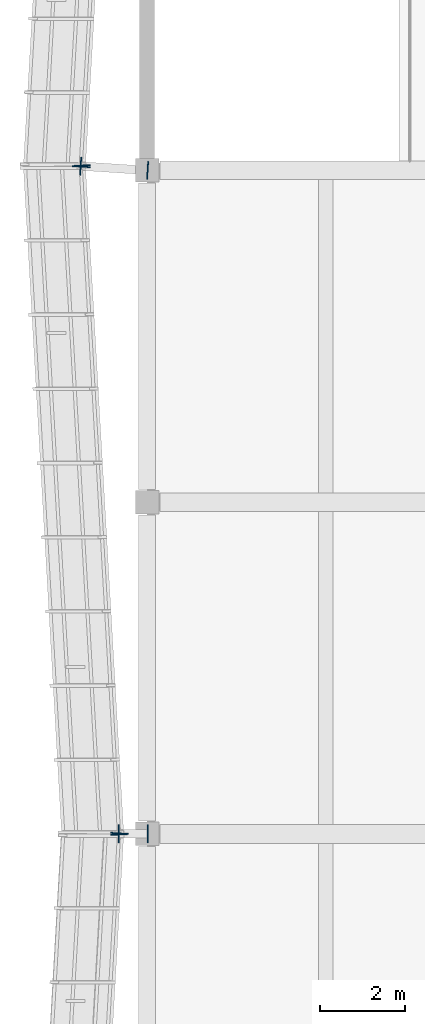
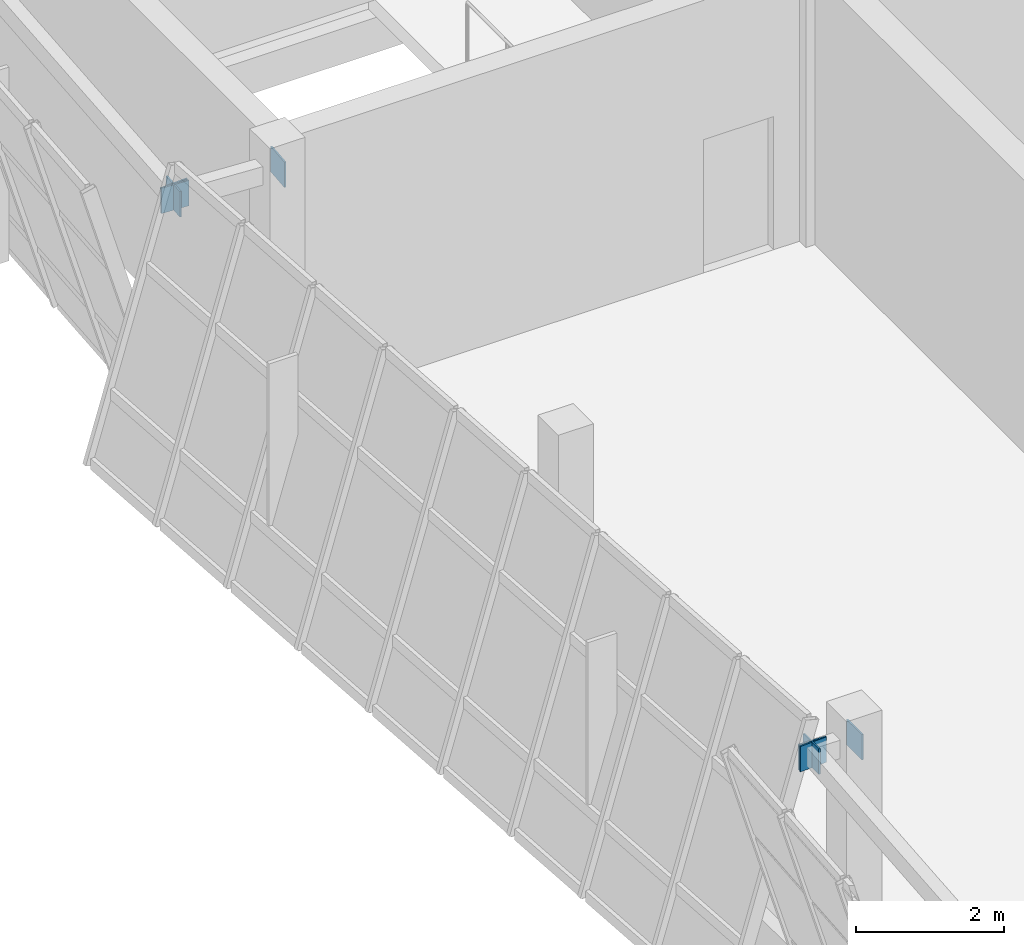
# One storey, part 48 of 67: 8 plates.
"""IFC4 building model written with IfcOpenShell, lengths in metres."""

from ifc_helpers import new_model, si_unit, direction, frame, origin, origin_2d, place, context, subcontext, project, spatial, rectangle, extrude, material, layer, layer_set, type_object, element, save


model = new_model("IFC4")

# Units and contexts
model_context = context("Model", 3, precision=1e-05, world=origin(), true_north=direction((0.0, 1.0)))
body_context = subcontext(model_context, "Body", "Model", "MODEL_VIEW")
ifc_project = project(units=[si_unit("LENGTHUNIT", "METRE"), si_unit("AREAUNIT", "SQUARE_METRE"), si_unit("VOLUMEUNIT", "CUBIC_METRE"), si_unit("PLANEANGLEUNIT", "RADIAN"), si_unit("MASSUNIT", "GRAM", prefix="KILO")], contexts=[model_context])

# Site, building, storey
site_placement = place(None, origin())
site = spatial("IfcSite", under=ifc_project, at=site_placement, CompositionType="ELEMENT")
building_placement = place(site_placement, origin())
building = spatial("IfcBuilding", under=site, at=building_placement, Name="Pellamere Symphony Hall", CompositionType="ELEMENT")
storey_placement = place(building_placement, frame((0.0, 0.0, 19.5)))
storey = spatial("IfcBuildingStorey", under=building, at=storey_placement, Name="L04", CompositionType="ELEMENT", Elevation=19.5)

# Plates
ifc_material = material(Name="Steel CSA G40.21 350W", Category="steel")
ifc_layer = layer(ifc_material, 0.02490234375, Name="Steel CSA G40.21 350W")
ifc_layer_set = layer_set([ifc_layer], Name="Steel CSA G40.21 350W")
plate_type = type_object("IfcPlateType", Name="Steel Connection Plate KP-01 420x420x25", PredefinedType="SHEET", material=ifc_layer_set)
for number, where, z_axis, x_axis, name in (
    (1, (48.849365234375, 77.488037109375, 3.72998046875), (0.0, 0.0, 1.0), (-0.05756402696, -0.998341816614, 0.0), "Crystal Spandrel End Cap Plate CW-CR15-2 (L04)"),
    (2, (50.412109375, 77.399169921875, 3.72998046875), (0.0, 0.0, 1.0), (-0.997926866086, 0.064358138139, 0.0), "Outrigger End Cap Plate 095.1 (L04)"),
    (3, (48.837890625, 77.500732421875, 3.72998046875), (0.0, 0.0, 1.0), (-0.997926866086, 0.064358138139, 0.0), "Outrigger End Cap Plate 095.2 (L04)"),
    (4, (48.849365234375, 77.511962890625, 3.72998046875), (0.0, 0.0, 1.0), (0.057215536424, -0.998361849427, 0.0), "Crystal Spandrel End Cap Plate CW-CR16-1 (L04)"),
    (5, (49.750732421875, 61.7880859375, 3.72998046875), (0.0, 0.0, 1.0), (0.057215536424, -0.998361849427, 0.0), "Crystal Spandrel End Cap Plate CW-CR16-2 (L04)"),
    (6, (50.412109375, 61.800048828125, 3.72998046875), (0.0, 0.0, 1.0), (-1.0, 0.0, 0.0), "Outrigger End Cap Plate 105.1 (L04)"),
    (7, (49.738037109375, 61.800048828125, 3.72998046875), (0.0, 0.0, 1.0), (-1.0, 0.0, 0.0), "Outrigger End Cap Plate 105.2 (L04)"),
    (8, (49.750732421875, 61.81201171875, 3.72998046875), (0.0, 0.0, 1.0), (-0.057215536424, -0.998361849427, 0.0), "Crystal Spandrel End Cap Plate CW-CR17-1 (L04)"),
):
    element("IfcPlate", number, at=place(storey_placement, frame(where, z_axis=z_axis, x_axis=x_axis)), inside=storey, type_object=plate_type, Name=name, PredefinedType="SHEET", context=body_context, shape_type="SweptSolid", body=[
        extrude(rectangle(XDim=0.02490234375, YDim=0.419921875, at=origin_2d()), origin(), (0.0, 0.0, 1.0), 0.419921875),
    ])

save(model, "model.ifc")
